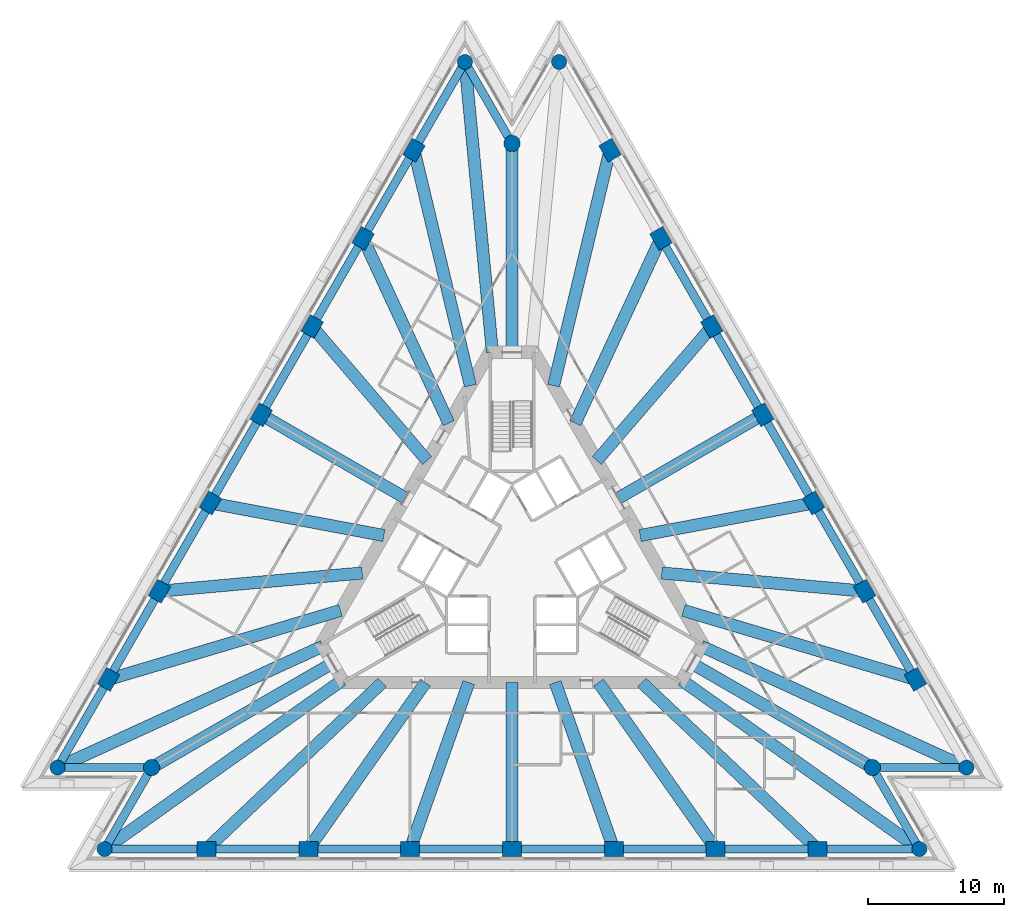
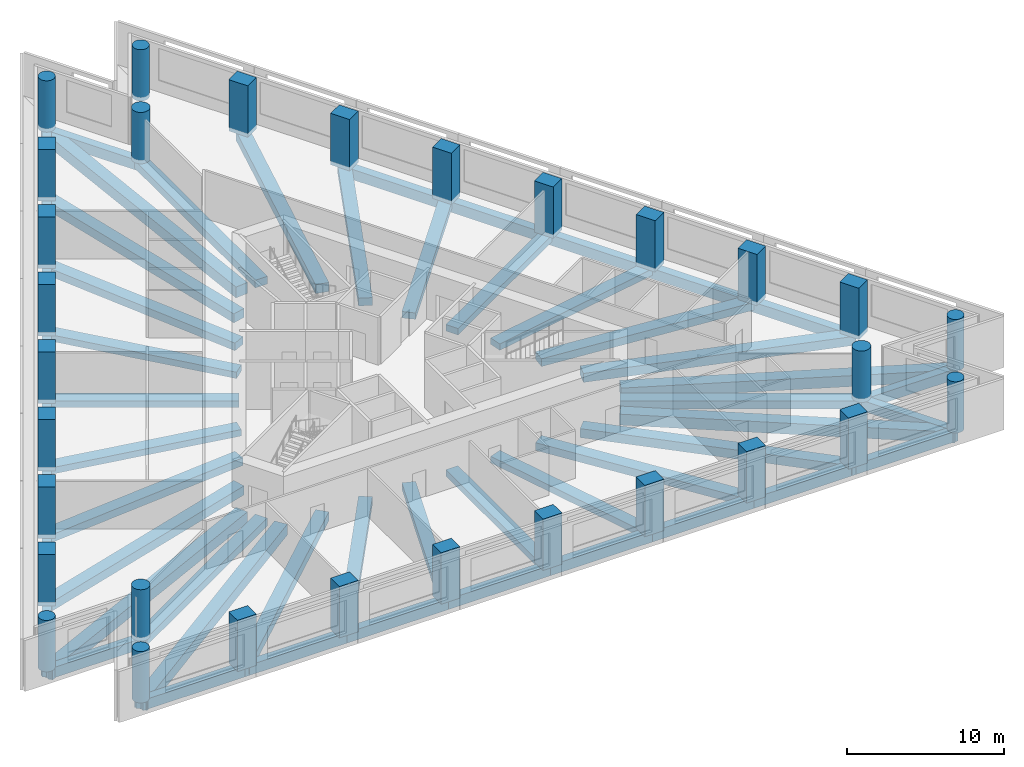
# One storey, part 1 of 9: 55 beams, 30 columns.
"""IFC4 building model written with IfcOpenShell, lengths in metres."""

from ifc_helpers import new_model, si_unit, direction, frame, origin, origin_2d, place, context, subcontext, project, spatial, rectangle, circle, extrude, material, material_profile, profile_set, type_object, element, save


model = new_model("IFC4")

# Units and contexts
model_context = context("Model", 3, precision=1e-05, world=origin(), true_north=direction((0.0, 1.0)))
body_context = subcontext(model_context, "Body", "Model", "MODEL_VIEW")
ifc_project = project(units=[si_unit("LENGTHUNIT", "METRE"), si_unit("AREAUNIT", "SQUARE_METRE"), si_unit("VOLUMEUNIT", "CUBIC_METRE"), si_unit("PLANEANGLEUNIT", "RADIAN"), si_unit("MASSUNIT", "GRAM", prefix="KILO")], contexts=[model_context])

# Site, building, storey
site_placement = place(None, origin())
site = spatial("IfcSite", under=ifc_project, at=site_placement, CompositionType="ELEMENT")
building_placement = place(site_placement, origin())
building = spatial("IfcBuilding", under=site, at=building_placement, Name="Triada Interchange Tower", CompositionType="ELEMENT")
storey_placement = place(building_placement, frame((0.0, 0.0, 55.300048828125)))
storey = spatial("IfcBuildingStorey", under=building, at=storey_placement, Name="L11", CompositionType="ELEMENT", Elevation=55.300048828125)

# Columns
ifc_material_1 = material(Name="Concrete C70/85", Category="concrete")
ifc_material_profile_1 = material_profile(ifc_material_1, rectangle(XDim=1.39990234375, YDim=1.10009765625, at=origin_2d()), Name="RC 1400x1100")
ifc_profile_set_1 = profile_set([ifc_material_profile_1], Name="Concrete C70/85")
column_type_1 = type_object("IfcColumnType", Name="Column A face RC 1400x1100", PredefinedType="COLUMN", material=ifc_profile_set_1)
for number, where, z_axis, x_axis, name in (
    (1, (-7.2099609375, 30.126953125, -0.300048828125), (0.0, 0.0, 1.0), (0.5, 0.866025403784, 0.0), "Column CA02 L11"),
    (2, (-10.95703125, 23.635986328125, -0.300048828125), (0.0, 0.0, 1.0), (0.5, 0.866025403784, 0.0), "Column CA03 L11"),
    (3, (-14.705078125, 17.14501953125, -0.300048828125), (0.0, 0.0, 1.0), (0.5, 0.866025403784, 0.0), "Column CA04 L11"),
    (4, (-18.451904296875, 10.654052734375, -0.300048828125), (0.0, 0.0, 1.0), (0.5, 0.866025403784, 0.0), "Column CA05 L11"),
    (5, (-22.199951171875, 4.162109375, -0.300048828125), (0.0, 0.0, 1.0), (0.5, 0.866025403784, 0.0), "Column CA06 L11"),
    (6, (-25.947998046875, -2.3291015625, -0.300048828125), (0.0, 0.0, 1.0), (0.5, 0.866025403784, 0.0), "Column CA07 L11"),
    (7, (-29.695068359375, -8.820068359375, -0.300048828125), (0.0, 0.0, 1.0), (0.5, 0.866025403784, 0.0), "Column CA08 L11"),
    (8, (-22.486083984375, -21.306884765625, -0.300048828125), (0.0, 0.0, 1.0), (1.0, 0.0, 0.0), "Column CA11 L11"),
    (9, (-14.989990234375, -21.306884765625, -0.300048828125), (0.0, 0.0, 1.0), (1.0, 0.0, 0.0), "Column CA12 L11"),
    (10, (-7.4951171875, -21.306884765625, -0.300048828125), (0.0, 0.0, 1.0), (1.0, 0.0, 0.0), "Column CA13 L11"),
    (11, (0.0, -21.306884765625, -0.300048828125), (0.0, 0.0, 1.0), (1.0, 0.0, 0.0), "Column CA14 L11"),
    (12, (7.4951171875, -21.306884765625, -0.300048828125), (0.0, 0.0, 1.0), (1.0, 0.0, 0.0), "Column CA15 L11"),
    (13, (14.990966796875, -21.306884765625, -0.300048828125), (0.0, 0.0, 1.0), (1.0, 0.0, 0.0), "Column CA16 L11"),
    (14, (22.486083984375, -21.306884765625, -0.300048828125), (0.0, 0.0, 1.0), (1.0, 0.0, 0.0), "Column CA17 L11"),
    (15, (29.695068359375, -8.820068359375, -0.300048828125), (0.0, 0.0, 1.0), (-0.5, 0.866025403784, 0.0), "Column CA20 L11"),
    (16, (25.947998046875, -2.3291015625, -0.300048828125), (0.0, 0.0, 1.0), (-0.5, 0.866025403784, 0.0), "Column CA21 L11"),
    (17, (22.199951171875, 4.162109375, -0.300048828125), (0.0, 0.0, 1.0), (-0.5, 0.866025403784, 0.0), "Column CA22 L11"),
    (18, (18.451904296875, 10.654052734375, -0.300048828125), (0.0, 0.0, 1.0), (-0.5, 0.866025403784, 0.0), "Column CA23 L11"),
    (19, (14.705078125, 17.14501953125, -0.300048828125), (0.0, 0.0, 1.0), (-0.5, 0.866025403784, 0.0), "Column CA24 L11"),
    (20, (10.95703125, 23.635986328125, -0.300048828125), (0.0, 0.0, 1.0), (-0.5, 0.866025403784, 0.0), "Column CA25 L11"),
    (21, (7.2099609375, 30.126953125, -0.300048828125), (0.0, 0.0, 1.0), (-0.5, 0.866025403784, 0.0), "Column CA26 L11"),
):
    element("IfcColumn", number, at=place(storey_placement, frame(where, z_axis=z_axis, x_axis=x_axis)), inside=storey, type_object=column_type_1, Name=name, PredefinedType="COLUMN", context=body_context, shape_type="SweptSolid", body=[
        extrude(rectangle(XDim=1.39990234375, YDim=1.10009765625, at=origin_2d()), origin(), (0.0, 0.0, 1.0), 4.0),
    ])
ifc_material_profile_2 = material_profile(ifc_material_1, circle(Radius=0.550048828125, at=origin_2d()), Name="RC D1100")
ifc_profile_set_2 = profile_set([ifc_material_profile_2], Name="Concrete C70/85")
column_type_2 = type_object("IfcColumnType", Name="End column A RC D1100", PredefinedType="COLUMN", material=ifc_profile_set_2)
for number, where, z_axis, x_axis, name in (
    (22, (-3.4619140625, 36.617919921875, -0.300048828125), (0.0, 0.0, 1.0), (0.5, 0.866025403784, 0.0), "Column CA01 L11"),
    (23, (-33.443115234375, -15.31103515625, -0.300048828125), (0.0, 0.0, 1.0), (0.5, 0.866025403784, 0.0), "Column CA09 L11"),
    (24, (-29.98095703125, -21.306884765625, -0.300048828125), (0.0, 0.0, 1.0), (1.0, 0.0, 0.0), "Column CA10 L11"),
    (25, (29.98095703125, -21.306884765625, -0.300048828125), (0.0, 0.0, 1.0), (1.0, 0.0, 0.0), "Column CA18 L11"),
    (26, (33.443115234375, -15.31103515625, -0.300048828125), (0.0, 0.0, 1.0), (-0.5, 0.866025403784, 0.0), "Column CA19 L11"),
    (27, (3.4619140625, 36.617919921875, -0.300048828125), (0.0, 0.0, 1.0), (-0.5, 0.866025403784, 0.0), "Column CA27 L11"),
):
    element("IfcColumn", number, at=place(storey_placement, frame(where, z_axis=z_axis, x_axis=x_axis)), inside=storey, type_object=column_type_2, Name=name, PredefinedType="COLUMN", context=body_context, shape_type="SweptSolid", body=[
        extrude(circle(Radius=0.550048828125, at=origin_2d()), origin(), (0.0, 0.0, 1.0), 4.0),
    ])
ifc_material_profile_3 = material_profile(ifc_material_1, circle(Radius=0.60009765625, at=origin_2d()), Name="RC D1200")
ifc_profile_set_3 = profile_set([ifc_material_profile_3], Name="Concrete C70/85")
column_type_3 = type_object("IfcColumnType", Name="Mega column A RC D1200", PredefinedType="COLUMN", material=ifc_profile_set_3)
for number, where, z_axis, x_axis, name in (
    (28, (0.0, 30.6220703125, -0.300048828125), (0.0, 0.0, 1.0), (1.0, 0.0, 0.0), "Column MA1 L11"),
    (29, (-26.51904296875, -15.31103515625, -0.300048828125), (0.0, 0.0, 1.0), (1.0, 0.0, 0.0), "Column MA2 L11"),
    (30, (26.51904296875, -15.31103515625, -0.300048828125), (0.0, 0.0, 1.0), (1.0, 0.0, 0.0), "Column MA3 L11"),
):
    element("IfcColumn", number, at=place(storey_placement, frame(where, z_axis=z_axis, x_axis=x_axis)), inside=storey, type_object=column_type_3, Name=name, PredefinedType="COLUMN", context=body_context, shape_type="SweptSolid", body=[
        extrude(circle(Radius=0.60009765625, at=origin_2d()), origin(), (0.0, 0.0, 1.0), 4.0),
    ])

# Beams
ifc_material_2 = material(Name="Concrete C50/60", Category="concrete")
ifc_material_profile_4 = material_profile(ifc_material_2, rectangle(XDim=0.89990234375, YDim=0.5, at=origin_2d()), Name="RC 900x500")
ifc_profile_set_4 = profile_set([ifc_material_profile_4], Name="Concrete C50/60")
beam_type_1 = type_object("IfcBeamType", Name="Radial band beam A RC 900x500", PredefinedType="BEAM", material=ifc_profile_set_4)
beam_1_placement = place(storey_placement, frame((-14.705078125, 17.14501953125, -0.550048828125), z_axis=(0.651011070288, -0.759068235643, 0.0), x_axis=(0.759068235643, 0.651011070288, 0.0)))
element("IfcBeam", 31, at=beam_1_placement, inside=storey, type_object=beam_type_1, Name="Radial band beam BA04 L11", PredefinedType="BEAM", context=body_context, shape_type="SweptSolid", body=[
    extrude(rectangle(XDim=0.89990234375, YDim=0.5, at=origin_2d()), origin(), (0.0, 0.0, 1.0), 12.99365234375),
])
beam_2_placement = place(storey_placement, frame((-18.451904296875, 10.654052734375, -0.550048828125), z_axis=(0.866004810444, -0.500035667016, 0.0), x_axis=(0.500035667016, 0.866004810444, 0.0)))
element("IfcBeam", 32, at=beam_2_placement, inside=storey, type_object=beam_type_1, Name="Radial band beam BA05 L11", PredefinedType="BEAM", context=body_context, shape_type="SweptSolid", body=[
    extrude(rectangle(XDim=0.89990234375, YDim=0.5, at=origin_2d()), origin(), (0.0, 0.0, 1.0), 12.25732421875),
])
beam_3_placement = place(storey_placement, frame((-22.199951171875, 4.162109375, -0.550048828125), z_axis=(0.982879418367, -0.184249963229, 0.0), x_axis=(0.184249963229, 0.982879418367, 0.0)))
element("IfcBeam", 33, at=beam_3_placement, inside=storey, type_object=beam_type_1, Name="Radial band beam BA06 L11", PredefinedType="BEAM", context=body_context, shape_type="SweptSolid", body=[
    extrude(rectangle(XDim=0.89990234375, YDim=0.5, at=origin_2d()), origin(), (0.0, 0.0, 1.0), 12.993408203125),
])
beam_4_placement = place(storey_placement, frame((-7.4951171875, -21.306884765625, -0.550048828125), z_axis=(0.331866578847, 0.943326334756, 0.0), x_axis=(-0.943326334756, 0.331866578847, 0.0)))
element("IfcBeam", 34, at=beam_4_placement, inside=storey, type_object=beam_type_1, Name="Radial band beam BA14 L11", PredefinedType="BEAM", context=body_context, shape_type="SweptSolid", body=[
    extrude(rectangle(XDim=0.89990234375, YDim=0.5, at=origin_2d()), origin(), (0.0, 0.0, 1.0), 12.9931640625),
])
beam_5_placement = place(storey_placement, frame((0.0, -21.306884765625, -0.550048828125), z_axis=(0.0, 1.0, 0.0), x_axis=(-1.0, 0.0, 0.0)))
element("IfcBeam", 35, at=beam_5_placement, inside=storey, type_object=beam_type_1, Name="Radial band beam BA15 L11", PredefinedType="BEAM", context=body_context, shape_type="SweptSolid", body=[
    extrude(rectangle(XDim=0.89990234375, YDim=0.5, at=origin_2d()), origin(), (0.0, 0.0, 1.0), 12.2568359375),
])
beam_6_placement = place(storey_placement, frame((7.4951171875, -21.306884765625, -0.550048828125), z_axis=(-0.331866578847, 0.943326334756, 0.0), x_axis=(-0.943326334756, -0.331866578847, 0.0)))
element("IfcBeam", 36, at=beam_6_placement, inside=storey, type_object=beam_type_1, Name="Radial band beam BA16 L11", PredefinedType="BEAM", context=body_context, shape_type="SweptSolid", body=[
    extrude(rectangle(XDim=0.89990234375, YDim=0.5, at=origin_2d()), origin(), (0.0, 0.0, 1.0), 12.9931640625),
])
beam_7_placement = place(storey_placement, frame((22.199951171875, 4.162109375, -0.550048828125), z_axis=(-0.982879418367, -0.184249963229, 0.0), x_axis=(0.184249963229, -0.982879418367, 0.0)))
element("IfcBeam", 37, at=beam_7_placement, inside=storey, type_object=beam_type_1, Name="Radial band beam BA24 L11", PredefinedType="BEAM", context=body_context, shape_type="SweptSolid", body=[
    extrude(rectangle(XDim=0.89990234375, YDim=0.5, at=origin_2d()), origin(), (0.0, 0.0, 1.0), 12.993408203125),
])
beam_8_placement = place(storey_placement, frame((18.451904296875, 10.654052734375, -0.550048828125), z_axis=(-0.866004810444, -0.500035667016, 0.0), x_axis=(0.500035667016, -0.866004810444, 0.0)))
element("IfcBeam", 38, at=beam_8_placement, inside=storey, type_object=beam_type_1, Name="Radial band beam BA25 L11", PredefinedType="BEAM", context=body_context, shape_type="SweptSolid", body=[
    extrude(rectangle(XDim=0.89990234375, YDim=0.5, at=origin_2d()), origin(), (0.0, 0.0, 1.0), 12.25732421875),
])
beam_9_placement = place(storey_placement, frame((14.705078125, 17.14501953125, -0.550048828125), z_axis=(-0.651011070288, -0.759068235643, 0.0), x_axis=(0.759068235643, -0.651011070288, 0.0)))
element("IfcBeam", 39, at=beam_9_placement, inside=storey, type_object=beam_type_1, Name="Radial band beam BA26 L11", PredefinedType="BEAM", context=body_context, shape_type="SweptSolid", body=[
    extrude(rectangle(XDim=0.89990234375, YDim=0.5, at=origin_2d()), origin(), (0.0, 0.0, 1.0), 12.99365234375),
])
ifc_material_profile_5 = material_profile(ifc_material_2, rectangle(XDim=0.89990234375, YDim=0.60009765625, at=origin_2d()), Name="RC 900x600")
ifc_profile_set_5 = profile_set([ifc_material_profile_5], Name="Concrete C50/60")
beam_type_2 = type_object("IfcBeamType", Name="Radial band beam A RC 900x600", PredefinedType="BEAM", material=ifc_profile_set_5)
beam_10_placement = place(storey_placement, frame((-10.95703125, 23.635986328125, -0.60009765625), z_axis=(0.42056894759, -0.907260580166, 0.0), x_axis=(0.907260580166, 0.42056894759, 0.0)))
element("IfcBeam", 40, at=beam_10_placement, inside=storey, type_object=beam_type_2, Name="Radial band beam BA03 L11", PredefinedType="BEAM", context=body_context, shape_type="SweptSolid", body=[
    extrude(rectangle(XDim=0.89990234375, YDim=0.60009765625, at=origin_2d()), origin(), (0.0, 0.0, 1.0), 14.98681640625),
])
beam_11_placement = place(storey_placement, frame((-25.947998046875, -2.3291015625, -0.60009765625), z_axis=(0.995994324065, 0.089416477401, 0.0), x_axis=(-0.089416477401, 0.995994324065, 0.0)))
element("IfcBeam", 41, at=beam_11_placement, inside=storey, type_object=beam_type_2, Name="Radial band beam BA07 L11", PredefinedType="BEAM", context=body_context, shape_type="SweptSolid", body=[
    extrude(rectangle(XDim=0.89990234375, YDim=0.60009765625, at=origin_2d()), origin(), (0.0, 0.0, 1.0), 14.987060546875),
])
beam_12_placement = place(storey_placement, frame((-26.51904296875, -15.31103515625, -0.60009765625), z_axis=(0.866015780646, 0.500016667394, 0.0), x_axis=(-0.500016667394, 0.866015780646, 0.0)))
element("IfcBeam", 42, at=beam_12_placement, inside=storey, type_object=beam_type_2, Name="Radial band beam BA10 L11", PredefinedType="BEAM", context=body_context, shape_type="SweptSolid", body=[
    extrude(rectangle(XDim=0.89990234375, YDim=0.60009765625, at=origin_2d()), origin(), (0.0, 0.0, 1.0), 15.37158203125),
])
beam_13_placement = place(storey_placement, frame((-14.989990234375, -21.306884765625, -0.60009765625), z_axis=(0.575398167171, 0.817873431049, 0.0), x_axis=(-0.817873431049, 0.575398167171, 0.0)))
element("IfcBeam", 43, at=beam_13_placement, inside=storey, type_object=beam_type_2, Name="Radial band beam BA13 L11", PredefinedType="BEAM", context=body_context, shape_type="SweptSolid", body=[
    extrude(rectangle(XDim=0.89990234375, YDim=0.60009765625, at=origin_2d()), origin(), (0.0, 0.0, 1.0), 14.986328125),
])
beam_14_placement = place(storey_placement, frame((14.990966796875, -21.306884765625, -0.60009765625), z_axis=(-0.575441754027, 0.817842764669, 0.0), x_axis=(-0.817842764669, -0.575441754027, 0.0)))
element("IfcBeam", 44, at=beam_14_placement, inside=storey, type_object=beam_type_2, Name="Radial band beam BA17 L11", PredefinedType="BEAM", context=body_context, shape_type="SweptSolid", body=[
    extrude(rectangle(XDim=0.89990234375, YDim=0.60009765625, at=origin_2d()), origin(), (0.0, 0.0, 1.0), 14.98681640625),
])
beam_15_placement = place(storey_placement, frame((26.51904296875, -15.31103515625, -0.60009765625), z_axis=(-0.866015780646, 0.500016667394, 0.0), x_axis=(-0.500016667394, -0.866015780646, 0.0)))
element("IfcBeam", 45, at=beam_15_placement, inside=storey, type_object=beam_type_2, Name="Radial band beam BA20 L11", PredefinedType="BEAM", context=body_context, shape_type="SweptSolid", body=[
    extrude(rectangle(XDim=0.89990234375, YDim=0.60009765625, at=origin_2d()), origin(), (0.0, 0.0, 1.0), 15.37158203125),
])
beam_16_placement = place(storey_placement, frame((25.947998046875, -2.3291015625, -0.60009765625), z_axis=(-0.995994324065, 0.089416477401, 0.0), x_axis=(-0.089416477401, -0.995994324065, 0.0)))
element("IfcBeam", 46, at=beam_16_placement, inside=storey, type_object=beam_type_2, Name="Radial band beam BA23 L11", PredefinedType="BEAM", context=body_context, shape_type="SweptSolid", body=[
    extrude(rectangle(XDim=0.89990234375, YDim=0.60009765625, at=origin_2d()), origin(), (0.0, 0.0, 1.0), 14.987060546875),
])
beam_17_placement = place(storey_placement, frame((10.95703125, 23.635986328125, -0.60009765625), z_axis=(-0.42056894759, -0.907260580166, 0.0), x_axis=(0.907260580166, -0.42056894759, 0.0)))
element("IfcBeam", 47, at=beam_17_placement, inside=storey, type_object=beam_type_2, Name="Radial band beam BA27 L11", PredefinedType="BEAM", context=body_context, shape_type="SweptSolid", body=[
    extrude(rectangle(XDim=0.89990234375, YDim=0.60009765625, at=origin_2d()), origin(), (0.0, 0.0, 1.0), 14.98681640625),
])
beam_18_placement = place(storey_placement, frame((0.0, 30.6220703125, -0.60009765625), z_axis=(0.0, -1.0, 0.0), x_axis=(1.0, 0.0, 0.0)))
element("IfcBeam", 48, at=beam_18_placement, inside=storey, type_object=beam_type_2, Name="Radial band beam BA30 L11", PredefinedType="BEAM", context=body_context, shape_type="SweptSolid", body=[
    extrude(rectangle(XDim=0.89990234375, YDim=0.60009765625, at=origin_2d()), origin(), (0.0, 0.0, 1.0), 15.3720703125),
])
ifc_material_profile_6 = material_profile(ifc_material_2, rectangle(XDim=0.89990234375, YDim=0.699951171875, at=origin_2d()), Name="RC 900x700")
ifc_profile_set_6 = profile_set([ifc_material_profile_6], Name="Concrete C50/60")
beam_type_3 = type_object("IfcBeamType", Name="Radial band beam A RC 900x700", PredefinedType="BEAM", material=ifc_profile_set_6)
beam_19_placement = place(storey_placement, frame((-7.2099609375, 30.126953125, -0.650146484375), z_axis=(0.232750117598, -0.972536571425, 0.0), x_axis=(0.972536571425, 0.232750117598, 0.0)))
element("IfcBeam", 49, at=beam_19_placement, inside=storey, type_object=beam_type_3, Name="Radial band beam BA02 L11", PredefinedType="BEAM", context=body_context, shape_type="SweptSolid", body=[
    extrude(rectangle(XDim=0.89990234375, YDim=0.699951171875, at=origin_2d()), origin(), (0.0, 0.0, 1.0), 17.821533203125),
])
beam_20_placement = place(storey_placement, frame((-29.695068359375, -8.820068359375, -0.650146484375), z_axis=(0.958604804109, 0.284739933166, 0.0), x_axis=(-0.284739933166, 0.958604804109, 0.0)))
element("IfcBeam", 50, at=beam_20_placement, inside=storey, type_object=beam_type_3, Name="Radial band beam BA08 L11", PredefinedType="BEAM", context=body_context, shape_type="SweptSolid", body=[
    extrude(rectangle(XDim=0.89990234375, YDim=0.699951171875, at=origin_2d()), origin(), (0.0, 0.0, 1.0), 17.819580078125),
])
for number, where, z_axis, x_axis, name in (
    (51, (-22.486083984375, -21.306884765625, -0.650146484375), (0.725880677222, 0.687820646998, 0.0), (-0.687820646998, 0.725880677222, 0.0), "Radial band beam BA12 L11"),
    (52, (22.486083984375, -21.306884765625, -0.650146484375), (-0.725880677222, 0.687820646998, 0.0), (-0.687820646998, -0.725880677222, 0.0), "Radial band beam BA18 L11"),
):
    element("IfcBeam", number, at=place(storey_placement, frame(where, z_axis=z_axis, x_axis=x_axis)), inside=storey, type_object=beam_type_3, Name=name, PredefinedType="BEAM", context=body_context, shape_type="SweptSolid", body=[
        extrude(rectangle(XDim=0.89990234375, YDim=0.699951171875, at=origin_2d()), origin(), (0.0, 0.0, 1.0), 17.81982421875),
    ])
beam_21_placement = place(storey_placement, frame((29.695068359375, -8.820068359375, -0.650146484375), z_axis=(-0.958604804109, 0.284739933166, 0.0), x_axis=(-0.284739933166, -0.958604804109, 0.0)))
element("IfcBeam", 53, at=beam_21_placement, inside=storey, type_object=beam_type_3, Name="Radial band beam BA22 L11", PredefinedType="BEAM", context=body_context, shape_type="SweptSolid", body=[
    extrude(rectangle(XDim=0.89990234375, YDim=0.699951171875, at=origin_2d()), origin(), (0.0, 0.0, 1.0), 17.819580078125),
])
beam_22_placement = place(storey_placement, frame((7.2099609375, 30.126953125, -0.650146484375), z_axis=(-0.232750117598, -0.972536571425, 0.0), x_axis=(0.972536571425, -0.232750117598, 0.0)))
element("IfcBeam", 54, at=beam_22_placement, inside=storey, type_object=beam_type_3, Name="Radial band beam BA28 L11", PredefinedType="BEAM", context=body_context, shape_type="SweptSolid", body=[
    extrude(rectangle(XDim=0.89990234375, YDim=0.699951171875, at=origin_2d()), origin(), (0.0, 0.0, 1.0), 17.821533203125),
])
ifc_material_profile_7 = material_profile(ifc_material_2, rectangle(XDim=0.89990234375, YDim=0.85009765625, at=origin_2d()), Name="RC 900x850")
ifc_profile_set_7 = profile_set([ifc_material_profile_7], Name="Concrete C50/60")
beam_type_4 = type_object("IfcBeamType", Name="Radial band beam A RC 900x850", PredefinedType="BEAM", material=ifc_profile_set_7)
beam_23_placement = place(storey_placement, frame((-3.4619140625, 36.617919921875, -0.72509765625), z_axis=(0.09411553587, -0.995561281844, 0.0), x_axis=(0.995561281844, 0.09411553587, 0.0)))
element("IfcBeam", 55, at=beam_23_placement, inside=storey, type_object=beam_type_4, Name="Radial band beam BA01 L11", PredefinedType="BEAM", context=body_context, shape_type="SweptSolid", body=[
    extrude(rectangle(XDim=0.89990234375, YDim=0.85009765625, at=origin_2d()), origin(), (0.0, 0.0, 1.0), 21.463134765625),
])
beam_24_placement = place(storey_placement, frame((-33.443115234375, -15.31103515625, -0.72509765625), z_axis=(0.909247485813, 0.416255942351, 0.0), x_axis=(-0.416255942351, 0.909247485813, 0.0)))
element("IfcBeam", 56, at=beam_24_placement, inside=storey, type_object=beam_type_4, Name="Radial band beam BA09 L11", PredefinedType="BEAM", context=body_context, shape_type="SweptSolid", body=[
    extrude(rectangle(XDim=0.89990234375, YDim=0.85009765625, at=origin_2d()), origin(), (0.0, 0.0, 1.0), 21.462890625),
])
for number, where, z_axis, x_axis, name in (
    (57, (-29.98095703125, -21.306884765625, -0.72509765625), (0.815129947367, 0.579278144681, 0.0), (-0.579278144681, 0.815129947367, 0.0), "Radial band beam BA11 L11"),
    (58, (29.98095703125, -21.306884765625, -0.72509765625), (-0.815129947367, 0.579278144681, 0.0), (-0.579278144681, -0.815129947367, 0.0), "Radial band beam BA19 L11"),
):
    element("IfcBeam", number, at=place(storey_placement, frame(where, z_axis=z_axis, x_axis=x_axis)), inside=storey, type_object=beam_type_4, Name=name, PredefinedType="BEAM", context=body_context, shape_type="SweptSolid", body=[
        extrude(rectangle(XDim=0.89990234375, YDim=0.85009765625, at=origin_2d()), origin(), (0.0, 0.0, 1.0), 21.462646484375),
    ])
beam_25_placement = place(storey_placement, frame((33.443115234375, -15.31103515625, -0.72509765625), z_axis=(-0.909247485813, 0.416255942351, 0.0), x_axis=(-0.416255942351, -0.909247485813, 0.0)))
element("IfcBeam", 59, at=beam_25_placement, inside=storey, type_object=beam_type_4, Name="Radial band beam BA21 L11", PredefinedType="BEAM", context=body_context, shape_type="SweptSolid", body=[
    extrude(rectangle(XDim=0.89990234375, YDim=0.85009765625, at=origin_2d()), origin(), (0.0, 0.0, 1.0), 21.462890625),
])
ifc_material_profile_8 = material_profile(ifc_material_2, rectangle(XDim=0.60009765625, YDim=0.800048828125, at=origin_2d()), Name="RC 600x800")
ifc_profile_set_8 = profile_set([ifc_material_profile_8], Name="Concrete C50/60")
beam_type_5 = type_object("IfcBeamType", Name="Spandrel beam A RC 600x800", PredefinedType="BEAM", material=ifc_profile_set_8)
beam_26_placement = place(storey_placement, frame((-3.4619140625, 36.617919921875, -0.699951171875), z_axis=(-0.500048573981, -0.865997357767, 0.0), x_axis=(0.865997357767, -0.500048573981, 0.0)))
element("IfcBeam", 60, at=beam_26_placement, inside=storey, type_object=beam_type_5, Name="Spandrel beam EA01 L11", PredefinedType="BEAM", context=body_context, shape_type="SweptSolid", body=[
    extrude(rectangle(XDim=0.60009765625, YDim=0.800048828125, at=origin_2d()), origin(), (0.0, 0.0, 1.0), 7.495361328125),
])
beam_27_placement = place(storey_placement, frame((-7.2099609375, 30.126953125, -0.699951171875), z_axis=(-0.49995085413, -0.866053776307, 0.0), x_axis=(0.866053776307, -0.49995085413, 0.0)))
element("IfcBeam", 61, at=beam_27_placement, inside=storey, type_object=beam_type_5, Name="Spandrel beam EA02 L11", PredefinedType="BEAM", context=body_context, shape_type="SweptSolid", body=[
    extrude(rectangle(XDim=0.60009765625, YDim=0.800048828125, at=origin_2d()), origin(), (0.0, 0.0, 1.0), 7.494873046875),
])
beam_28_placement = place(storey_placement, frame((-10.95703125, 23.635986328125, -0.699951171875), z_axis=(-0.500048573981, -0.865997357767, 0.0), x_axis=(0.865997357767, -0.500048573981, 0.0)))
element("IfcBeam", 62, at=beam_28_placement, inside=storey, type_object=beam_type_5, Name="Spandrel beam EA03 L11", PredefinedType="BEAM", context=body_context, shape_type="SweptSolid", body=[
    extrude(rectangle(XDim=0.60009765625, YDim=0.800048828125, at=origin_2d()), origin(), (0.0, 0.0, 1.0), 7.495361328125),
])
beam_29_placement = place(storey_placement, frame((-14.705078125, 17.14501953125, -0.699951171875), z_axis=(-0.499926421183, -0.866067880367, 0.0), x_axis=(0.866067880367, -0.499926421183, 0.0)))
element("IfcBeam", 63, at=beam_29_placement, inside=storey, type_object=beam_type_5, Name="Spandrel beam EA04 L11", PredefinedType="BEAM", context=body_context, shape_type="SweptSolid", body=[
    extrude(rectangle(XDim=0.60009765625, YDim=0.800048828125, at=origin_2d()), origin(), (0.0, 0.0, 1.0), 7.494873046875),
])
beam_30_placement = place(storey_placement, frame((-18.451904296875, 10.654052734375, -0.699951171875), z_axis=(-0.499992158909, -0.866029930793, 0.0), x_axis=(0.866029930793, -0.499992158909, 0.0)))
element("IfcBeam", 64, at=beam_30_placement, inside=storey, type_object=beam_type_5, Name="Spandrel beam EA05 L11", PredefinedType="BEAM", context=body_context, shape_type="SweptSolid", body=[
    extrude(rectangle(XDim=0.60009765625, YDim=0.800048828125, at=origin_2d()), origin(), (0.0, 0.0, 1.0), 7.49609375),
])
beam_31_placement = place(storey_placement, frame((-22.199951171875, 4.162109375, -0.699951171875), z_axis=(-0.500034469219, -0.866005502057, 0.0), x_axis=(0.866005502057, -0.500034469219, 0.0)))
element("IfcBeam", 65, at=beam_31_placement, inside=storey, type_object=beam_type_5, Name="Spandrel beam EA06 L11", PredefinedType="BEAM", context=body_context, shape_type="SweptSolid", body=[
    extrude(rectangle(XDim=0.60009765625, YDim=0.800048828125, at=origin_2d()), origin(), (0.0, 0.0, 1.0), 7.49560546875),
])
beam_32_placement = place(storey_placement, frame((-25.947998046875, -2.3291015625, -0.699951171875), z_axis=(-0.49995085413, -0.866053776307, 0.0), x_axis=(0.866053776307, -0.49995085413, 0.0)))
element("IfcBeam", 66, at=beam_32_placement, inside=storey, type_object=beam_type_5, Name="Spandrel beam EA07 L11", PredefinedType="BEAM", context=body_context, shape_type="SweptSolid", body=[
    extrude(rectangle(XDim=0.60009765625, YDim=0.800048828125, at=origin_2d()), origin(), (0.0, 0.0, 1.0), 7.494873046875),
])
beam_33_placement = place(storey_placement, frame((-29.695068359375, -8.820068359375, -0.699951171875), z_axis=(-0.500048573981, -0.865997357767, 0.0), x_axis=(0.865997357767, -0.500048573981, 0.0)))
element("IfcBeam", 67, at=beam_33_placement, inside=storey, type_object=beam_type_5, Name="Spandrel beam EA08 L11", PredefinedType="BEAM", context=body_context, shape_type="SweptSolid", body=[
    extrude(rectangle(XDim=0.60009765625, YDim=0.800048828125, at=origin_2d()), origin(), (0.0, 0.0, 1.0), 7.495361328125),
])
beam_34_placement = place(storey_placement, frame((-33.443115234375, -15.31103515625, -0.699951171875), z_axis=(1.0, 0.0, 0.0), x_axis=(0.0, 1.0, 0.0)))
element("IfcBeam", 68, at=beam_34_placement, inside=storey, type_object=beam_type_5, Name="Spandrel beam EA09 L11", PredefinedType="BEAM", context=body_context, shape_type="SweptSolid", body=[
    extrude(rectangle(XDim=0.60009765625, YDim=0.800048828125, at=origin_2d()), origin(), (0.0, 0.0, 1.0), 6.924072265625),
])
beam_35_placement = place(storey_placement, frame((-26.51904296875, -15.31103515625, -0.699951171875), z_axis=(-0.50002260502, -0.866012352376, 0.0), x_axis=(0.866012352376, -0.50002260502, 0.0)))
element("IfcBeam", 69, at=beam_35_placement, inside=storey, type_object=beam_type_5, Name="Spandrel beam EA10 L11", PredefinedType="BEAM", context=body_context, shape_type="SweptSolid", body=[
    extrude(rectangle(XDim=0.60009765625, YDim=0.800048828125, at=origin_2d()), origin(), (0.0, 0.0, 1.0), 6.923583984375),
])
beam_36_placement = place(storey_placement, frame((-29.98095703125, -21.306884765625, -0.699951171875), z_axis=(1.0, 0.0, 0.0), x_axis=(0.0, 1.0, 0.0)))
element("IfcBeam", 70, at=beam_36_placement, inside=storey, type_object=beam_type_5, Name="Spandrel beam EA11 L11", PredefinedType="BEAM", context=body_context, shape_type="SweptSolid", body=[
    extrude(rectangle(XDim=0.60009765625, YDim=0.800048828125, at=origin_2d()), origin(), (0.0, 0.0, 1.0), 7.494873046875),
])
beam_37_placement = place(storey_placement, frame((-22.486083984375, -21.306884765625, -0.699951171875), z_axis=(1.0, 0.0, 0.0), x_axis=(0.0, 1.0, 0.0)))
element("IfcBeam", 71, at=beam_37_placement, inside=storey, type_object=beam_type_5, Name="Spandrel beam EA12 L11", PredefinedType="BEAM", context=body_context, shape_type="SweptSolid", body=[
    extrude(rectangle(XDim=0.60009765625, YDim=0.800048828125, at=origin_2d()), origin(), (0.0, 0.0, 1.0), 7.49609375),
])
beam_38_placement = place(storey_placement, frame((-14.989990234375, -21.306884765625, -0.699951171875), z_axis=(1.0, 0.0, 0.0), x_axis=(0.0, 1.0, 0.0)))
element("IfcBeam", 72, at=beam_38_placement, inside=storey, type_object=beam_type_5, Name="Spandrel beam EA13 L11", PredefinedType="BEAM", context=body_context, shape_type="SweptSolid", body=[
    extrude(rectangle(XDim=0.60009765625, YDim=0.800048828125, at=origin_2d()), origin(), (0.0, 0.0, 1.0), 7.494873046875),
])
for number, where, z_axis, x_axis, name in (
    (73, (-7.4951171875, -21.306884765625, -0.699951171875), (1.0, 0.0, 0.0), (0.0, 1.0, 0.0), "Spandrel beam EA14 L11"),
    (74, (0.0, -21.306884765625, -0.699951171875), (1.0, 0.0, 0.0), (0.0, 1.0, 0.0), "Spandrel beam EA15 L11"),
):
    element("IfcBeam", number, at=place(storey_placement, frame(where, z_axis=z_axis, x_axis=x_axis)), inside=storey, type_object=beam_type_5, Name=name, PredefinedType="BEAM", context=body_context, shape_type="SweptSolid", body=[
        extrude(rectangle(XDim=0.60009765625, YDim=0.800048828125, at=origin_2d()), origin(), (0.0, 0.0, 1.0), 7.4951171875),
    ])
beam_39_placement = place(storey_placement, frame((7.4951171875, -21.306884765625, -0.699951171875), z_axis=(1.0, 0.0, 0.0), x_axis=(0.0, 1.0, 0.0)))
element("IfcBeam", 75, at=beam_39_placement, inside=storey, type_object=beam_type_5, Name="Spandrel beam EA16 L11", PredefinedType="BEAM", context=body_context, shape_type="SweptSolid", body=[
    extrude(rectangle(XDim=0.60009765625, YDim=0.800048828125, at=origin_2d()), origin(), (0.0, 0.0, 1.0), 7.495849609375),
])
beam_40_placement = place(storey_placement, frame((14.990966796875, -21.306884765625, -0.699951171875), z_axis=(1.0, 0.0, 0.0), x_axis=(0.0, 1.0, 0.0)))
element("IfcBeam", 76, at=beam_40_placement, inside=storey, type_object=beam_type_5, Name="Spandrel beam EA17 L11", PredefinedType="BEAM", context=body_context, shape_type="SweptSolid", body=[
    extrude(rectangle(XDim=0.60009765625, YDim=0.800048828125, at=origin_2d()), origin(), (0.0, 0.0, 1.0), 7.4951171875),
])
beam_41_placement = place(storey_placement, frame((22.486083984375, -21.306884765625, -0.699951171875), z_axis=(1.0, 0.0, 0.0), x_axis=(0.0, 1.0, 0.0)))
element("IfcBeam", 77, at=beam_41_placement, inside=storey, type_object=beam_type_5, Name="Spandrel beam EA18 L11", PredefinedType="BEAM", context=body_context, shape_type="SweptSolid", body=[
    extrude(rectangle(XDim=0.60009765625, YDim=0.800048828125, at=origin_2d()), origin(), (0.0, 0.0, 1.0), 7.494873046875),
])
beam_42_placement = place(storey_placement, frame((29.98095703125, -21.306884765625, -0.699951171875), z_axis=(-0.50002260502, 0.866012352376, 0.0), x_axis=(-0.866012352376, -0.50002260502, 0.0)))
element("IfcBeam", 78, at=beam_42_placement, inside=storey, type_object=beam_type_5, Name="Spandrel beam EA19 L11", PredefinedType="BEAM", context=body_context, shape_type="SweptSolid", body=[
    extrude(rectangle(XDim=0.60009765625, YDim=0.800048828125, at=origin_2d()), origin(), (0.0, 0.0, 1.0), 6.923583984375),
])
beam_43_placement = place(storey_placement, frame((26.51904296875, -15.31103515625, -0.699951171875), z_axis=(1.0, 0.0, 0.0), x_axis=(0.0, 1.0, 0.0)))
element("IfcBeam", 79, at=beam_43_placement, inside=storey, type_object=beam_type_5, Name="Spandrel beam EA20 L11", PredefinedType="BEAM", context=body_context, shape_type="SweptSolid", body=[
    extrude(rectangle(XDim=0.60009765625, YDim=0.800048828125, at=origin_2d()), origin(), (0.0, 0.0, 1.0), 6.924072265625),
])
beam_44_placement = place(storey_placement, frame((29.695068359375, -8.820068359375, -0.699951171875), z_axis=(-0.49995085413, 0.866053776307, 0.0), x_axis=(-0.866053776307, -0.49995085413, 0.0)))
element("IfcBeam", 80, at=beam_44_placement, inside=storey, type_object=beam_type_5, Name="Spandrel beam EA22 L11", PredefinedType="BEAM", context=body_context, shape_type="SweptSolid", body=[
    extrude(rectangle(XDim=0.60009765625, YDim=0.800048828125, at=origin_2d()), origin(), (0.0, 0.0, 1.0), 7.494873046875),
])
beam_45_placement = place(storey_placement, frame((25.947998046875, -2.3291015625, -0.699951171875), z_axis=(-0.500034469219, 0.866005502057, 0.0), x_axis=(-0.866005502057, -0.500034469219, 0.0)))
element("IfcBeam", 81, at=beam_45_placement, inside=storey, type_object=beam_type_5, Name="Spandrel beam EA23 L11", PredefinedType="BEAM", context=body_context, shape_type="SweptSolid", body=[
    extrude(rectangle(XDim=0.60009765625, YDim=0.800048828125, at=origin_2d()), origin(), (0.0, 0.0, 1.0), 7.49560546875),
])
beam_46_placement = place(storey_placement, frame((22.199951171875, 4.162109375, -0.699951171875), z_axis=(-0.499992158909, 0.866029930793, 0.0), x_axis=(-0.866029930793, -0.499992158909, 0.0)))
element("IfcBeam", 82, at=beam_46_placement, inside=storey, type_object=beam_type_5, Name="Spandrel beam EA24 L11", PredefinedType="BEAM", context=body_context, shape_type="SweptSolid", body=[
    extrude(rectangle(XDim=0.60009765625, YDim=0.800048828125, at=origin_2d()), origin(), (0.0, 0.0, 1.0), 7.49609375),
])
beam_47_placement = place(storey_placement, frame((18.451904296875, 10.654052734375, -0.699951171875), z_axis=(-0.499926421183, 0.866067880367, 0.0), x_axis=(-0.866067880367, -0.499926421183, 0.0)))
element("IfcBeam", 83, at=beam_47_placement, inside=storey, type_object=beam_type_5, Name="Spandrel beam EA25 L11", PredefinedType="BEAM", context=body_context, shape_type="SweptSolid", body=[
    extrude(rectangle(XDim=0.60009765625, YDim=0.800048828125, at=origin_2d()), origin(), (0.0, 0.0, 1.0), 7.494873046875),
])
beam_48_placement = place(storey_placement, frame((14.705078125, 17.14501953125, -0.699951171875), z_axis=(-0.500048573981, 0.865997357767, 0.0), x_axis=(-0.865997357767, -0.500048573981, 0.0)))
element("IfcBeam", 84, at=beam_48_placement, inside=storey, type_object=beam_type_5, Name="Spandrel beam EA26 L11", PredefinedType="BEAM", context=body_context, shape_type="SweptSolid", body=[
    extrude(rectangle(XDim=0.60009765625, YDim=0.800048828125, at=origin_2d()), origin(), (0.0, 0.0, 1.0), 7.495361328125),
])
beam_49_placement = place(storey_placement, frame((0.0, 30.6220703125, -0.699951171875), z_axis=(-0.50002260502, 0.866012352376, 0.0), x_axis=(-0.866012352376, -0.50002260502, 0.0)))
element("IfcBeam", 85, at=beam_49_placement, inside=storey, type_object=beam_type_5, Name="Spandrel beam EA30 L11", PredefinedType="BEAM", context=body_context, shape_type="SweptSolid", body=[
    extrude(rectangle(XDim=0.60009765625, YDim=0.800048828125, at=origin_2d()), origin(), (0.0, 0.0, 1.0), 6.923583984375),
])

save(model, "model.ifc")
